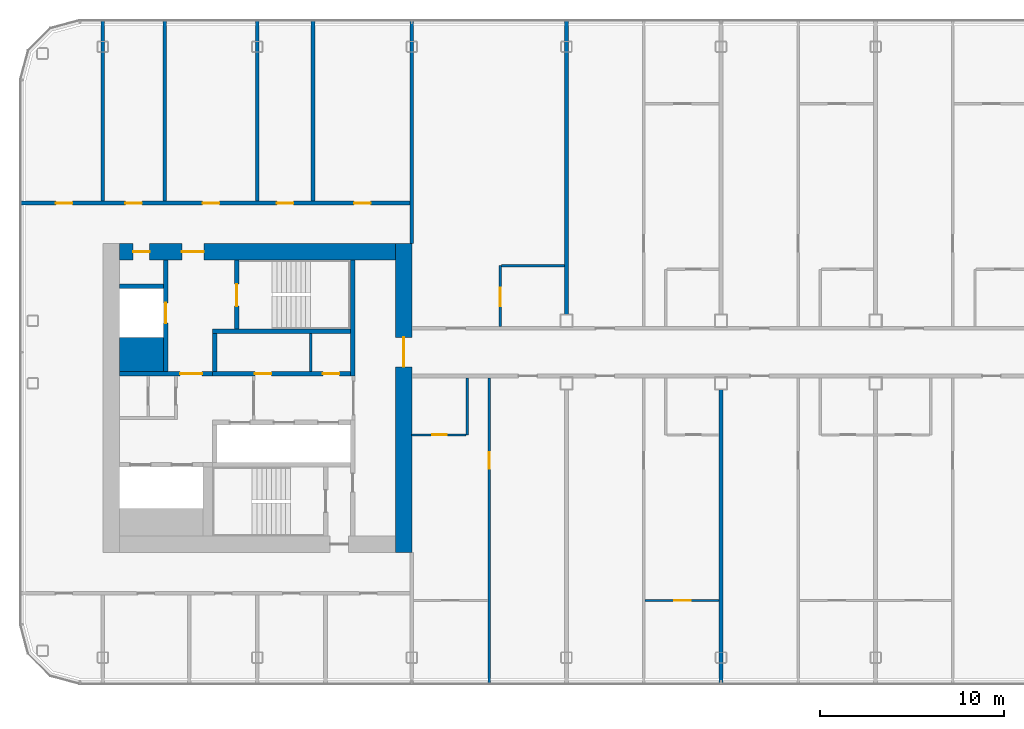
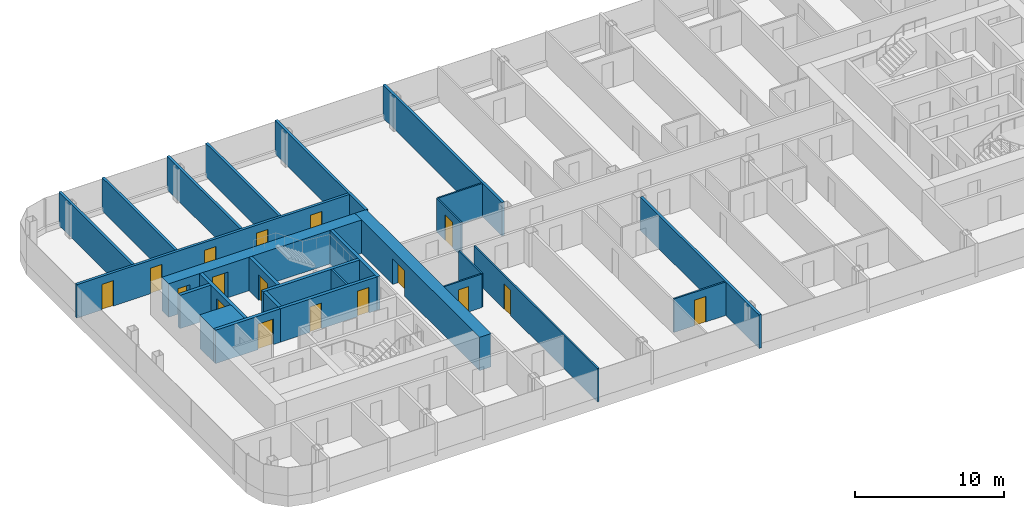
# One storey, part 14 of 26: 26 walls, 17 doors, 17 openings.
"""IFC4 building model written with IfcOpenShell, lengths in metres."""

from ifc_helpers import new_model, si_unit, direction, frame, frame_2d, origin, place, context, subcontext, project, spatial, rectangle, extrude, material, layer, layer_set, type_object, element, fill, save


model = new_model("IFC4")

# Units and contexts
model_context = context("Model", 3, precision=1e-05, world=origin(), true_north=direction((0.0, 1.0)))
body_context = subcontext(model_context, "Body", "Model", "MODEL_VIEW")
ifc_project = project(units=[si_unit("LENGTHUNIT", "METRE"), si_unit("AREAUNIT", "SQUARE_METRE"), si_unit("VOLUMEUNIT", "CUBIC_METRE"), si_unit("PLANEANGLEUNIT", "RADIAN"), si_unit("MASSUNIT", "GRAM", prefix="KILO")], contexts=[model_context])

# Site, building, storey
site_placement = place(None, origin())
site = spatial("IfcSite", under=ifc_project, at=site_placement, CompositionType="ELEMENT")
building_placement = place(site_placement, origin())
building = spatial("IfcBuilding", under=site, at=building_placement, Name="Hakoniwa Tower and Hamabe Station Hall", CompositionType="ELEMENT")
storey_placement = place(building_placement, frame((0.0, 0.0, 215.39990234375)))
storey = spatial("IfcBuildingStorey", under=building, at=storey_placement, Name="L61", CompositionType="ELEMENT", Elevation=215.39990234375)

# Wall, opening, door
ifc_material_1 = material(Name="Gypsum board partition", Category="gypsum")
ifc_layer_1 = layer(ifc_material_1, 0.125)
ifc_layer_set_1 = layer_set([ifc_layer_1], Name="Bathroom Partition 125")
wall_type_1 = type_object("IfcWallType", Name="Bathroom Partition 125", PredefinedType="PARTITIONING", material=ifc_layer_set_1)
wall_1_placement = place(storey_placement, frame((-16.81005859375, -2.0, 0.0), z_axis=(0.0, 0.0, 1.0), x_axis=(1.0, 0.0, 0.0)))
wall_1 = element("IfcWall", 1, at=wall_1_placement, inside=storey, type_object=wall_type_1, Name="GW-L61-006", PredefinedType="PARTITIONING", context=body_context, shape_type="SweptSolid", body=[
    extrude(rectangle(XDim=2.947509765625, YDim=0.125, at=frame_2d((1.4736328125, 0.0))), origin(), (0.0, 0.0, 1.0), 2.75),
])
opening_1_placement = place(wall_1_placement, frame((1.110107421875, 0.0, 0.0)))
opening_1 = element("IfcOpeningElement", 2, at=opening_1_placement, cuts=wall_1, Name="Opening GD-G4E1-13", PredefinedType="OPENING", context=body_context, shape_type="SweptSolid", body=[
    extrude(rectangle(XDim=0.800048828125, YDim=2.10009765625, at=frame_2d((0.39990234375, 1.050048828125))), frame((0.0, 0.072509765625, 0.0), z_axis=(0.0, -1.0, 0.0), x_axis=(1.0, 0.0, 0.0)), (0.0, 0.0, 1.0), 0.14501953125),
])
ifc_material_2 = material(Name="Timber door leaf", Category="wood")
door_type_1 = type_object("IfcDoorType", Name="Bathroom Door 800", OperationType="SINGLE_SWING_LEFT", PredefinedType="DOOR", material=ifc_material_2)
door_1_placement = place(opening_1_placement, origin())
door_1 = element("IfcDoor", 3, at=door_1_placement, inside=storey, type_object=door_type_1, Name="Door GD-G4E1-13", OperationType="SINGLE_SWING_LEFT", OverallHeight=2.10009765625, OverallWidth=0.800048828125, PredefinedType="DOOR", context=body_context, shape_type="SweptSolid", body=[
    extrude(rectangle(XDim=0.800048828125, YDim=2.10009765625, at=frame_2d((0.39990234375, 1.050048828125))), frame((0.0, 0.02490234375, 0.0), z_axis=(0.0, -1.0, 0.0), x_axis=(1.0, 0.0, 0.0)), (0.0, 0.0, 1.0), 0.050048828125),
])
fill(opening_1, door_1)

# Walls
wall_2_placement = place(storey_placement, frame((-11.9375, 7.199951171875, 0.0), z_axis=(0.0, 0.0, 1.0), x_axis=(1.0, 0.0, 0.0)))
element("IfcWall", 4, at=wall_2_placement, inside=storey, type_object=wall_type_1, Name="GW-L61-014", PredefinedType="PARTITIONING", context=body_context, shape_type="SweptSolid", body=[
    extrude(rectangle(XDim=3.4375, YDim=0.125, at=frame_2d((1.71875, 0.0))), origin(), (0.0, 0.0, 1.0), 2.75),
])
wall_3_placement = place(storey_placement, frame((-13.800048828125, -2.0, 0.0), z_axis=(0.0, 0.0, 1.0), x_axis=(0.0, 1.0, 0.0)))
element("IfcWall", 5, at=wall_3_placement, inside=storey, type_object=wall_type_1, Name="GW-L61-033", PredefinedType="PARTITIONING", context=body_context, shape_type="SweptSolid", body=[
    extrude(rectangle(XDim=3.10009765625, YDim=0.125, at=frame_2d((1.550048828125, 0.0))), origin(), (0.0, 0.0, 1.0), 2.75),
])

# Wall, opening, door
wall_4_placement = place(storey_placement, frame((-12.0, 3.89990234375, 0.0), z_axis=(0.0, 0.0, 1.0), x_axis=(0.0, 1.0, 0.0)))
wall_4 = element("IfcWall", 6, at=wall_4_placement, inside=storey, type_object=wall_type_1, Name="GW-L61-035", PredefinedType="PARTITIONING", context=body_context, shape_type="SweptSolid", body=[
    extrude(rectangle(XDim=3.300048828125, YDim=0.125, at=frame_2d((1.64990234375, 0.0))), origin(), (0.0, 0.0, 1.0), 2.75),
])
opening_2_placement = place(wall_4_placement, frame((1.10009765625, 0.0, 0.0)))
opening_2 = element("IfcOpeningElement", 7, at=opening_2_placement, cuts=wall_4, Name="Opening GD-G4E1-42", PredefinedType="OPENING", context=body_context, shape_type="SweptSolid", body=[
    extrude(rectangle(XDim=1.0, YDim=2.10009765625, at=frame_2d((0.5, 1.050048828125))), frame((0.0, 0.072509765625, 0.0), z_axis=(0.0, -1.0, 0.0), x_axis=(1.0, 0.0, 0.0)), (0.0, 0.0, 1.0), 0.14501953125),
])
ifc_material_3 = material(Name="Timber door leaf", Category="wood")
door_type_2 = type_object("IfcDoorType", Name="Accessible Bathroom Door 1000", OperationType="SINGLE_SWING_LEFT", PredefinedType="DOOR", material=ifc_material_3)
door_2_placement = place(opening_2_placement, origin())
door_2 = element("IfcDoor", 8, at=door_2_placement, inside=storey, type_object=door_type_2, Name="Door GD-G4E1-42", OperationType="SINGLE_SWING_RIGHT", OverallHeight=2.10009765625, OverallWidth=1.0, PredefinedType="DOOR", context=body_context, shape_type="SweptSolid", body=[
    extrude(rectangle(XDim=1.0, YDim=2.10009765625, at=frame_2d((0.5, 1.050048828125))), frame((0.0, 0.02490234375, 0.0), z_axis=(0.0, -1.0, 0.0), x_axis=(1.0, 0.0, 0.0)), (0.0, 0.0, 1.0), 0.050048828125),
])
fill(opening_2, door_2)

# Wall
ifc_material_4 = material(Name="Gypsum board partition")
ifc_layer_2 = layer(ifc_material_4, 0.14990234375)
ifc_layer_set_2 = layer_set([ifc_layer_2], Name="CORE PARTITION 150 EI 60")
wall_type_2 = type_object("IfcWallType", Name="CORE PARTITION 150 EI 60", PredefinedType="PARTITIONING", material=ifc_layer_set_2)
wall_5_placement = place(storey_placement, frame((-22.300048828125, 1.449951171875, 0.0), z_axis=(0.0, 0.0, 1.0), x_axis=(0.0, 1.0, 0.0)))
element("IfcWall", 9, at=wall_5_placement, inside=storey, type_object=wall_type_2, Name="Core partition PFLR0 west", PredefinedType="PARTITIONING", context=body_context, shape_type="SweptSolid", body=[
    extrude(rectangle(XDim=2.050048828125, YDim=0.14990234375, at=frame_2d((1.02490234375, 0.0))), origin(), (0.0, 0.0, 1.0), 2.75),
])

# Wall, opening, door
ifc_material_5 = material(Name="Concrete C60", Category="concrete")
ifc_layer_3 = layer(ifc_material_5, 0.89990234375)
ifc_layer_set_3 = layer_set([ifc_layer_3], Name="CORE WALL 900 C60")
wall_type_3 = type_object("IfcWallType", Name="CORE WALL 900 C60", PredefinedType="SHEAR", material=ifc_layer_set_3)
wall_6_placement = place(storey_placement, frame((-17.25, -8.39990234375, 0.0), z_axis=(0.0, 0.0, 1.0), x_axis=(0.0, 1.0, 0.0)))
wall_6 = element("IfcWall", 10, at=wall_6_placement, inside=storey, type_object=wall_type_3, Name="Core wall INNER west", PredefinedType="SHEAR", context=body_context, shape_type="SweptSolid", body=[
    extrude(rectangle(XDim=16.7998046875, YDim=0.89990234375, at=frame_2d((8.39990234375, 0.0))), origin(), (0.0, 0.0, 1.0), 2.75),
])
opening_3_placement = place(wall_6_placement, frame((10.10009765625, 0.0, 0.0)))
opening_3 = element("IfcOpeningElement", 11, at=opening_3_placement, cuts=wall_6, Name="Opening CD-W-IN1-16", PredefinedType="OPENING", context=body_context, shape_type="SweptSolid", body=[
    extrude(rectangle(XDim=1.60009765625, YDim=2.10009765625, at=frame_2d((0.800048828125, 1.050048828125))), frame((0.0, 0.4599609375, 0.0), z_axis=(0.0, -1.0, 0.0), x_axis=(1.0, 0.0, 0.0)), (0.0, 0.0, 1.0), 0.919921875),
])
ifc_material_6 = material(Name="Steel fire door", Category="steel")
door_type_3 = type_object("IfcDoorType", Name="CORE DOOR 1600 FD60", OperationType="DOUBLE_DOOR_SINGLE_SWING", PredefinedType="DOOR", material=ifc_material_6)
door_3_placement = place(opening_3_placement, origin())
door_3 = element("IfcDoor", 12, at=door_3_placement, inside=storey, type_object=door_type_3, Name="Lift lobby door", OperationType="DOUBLE_DOOR_SINGLE_SWING", OverallHeight=2.10009765625, OverallWidth=1.60009765625, PredefinedType="DOOR", context=body_context, shape_type="SweptSolid", body=[
    extrude(rectangle(XDim=1.60009765625, YDim=2.10009765625, at=frame_2d((0.800048828125, 1.050048828125))), frame((0.0, 0.02490234375, 0.0), z_axis=(0.0, -1.0, 0.0), x_axis=(1.0, 0.0, 0.0)), (0.0, 0.0, 1.0), 0.050048828125),
])
fill(opening_3, door_3)

# Wall, openings, doors
wall_7_placement = place(storey_placement, frame((-32.699951171875, 7.949951171875, 0.0), z_axis=(0.0, 0.0, 1.0), x_axis=(1.0, 0.0, 0.0)))
wall_7 = element("IfcWall", 13, at=wall_7_placement, inside=storey, type_object=wall_type_3, Name="Core wall NORTH west", PredefinedType="SHEAR", context=body_context, shape_type="SweptSolid", body=[
    extrude(rectangle(XDim=15.0, YDim=0.89990234375, at=frame_2d((7.5, 0.0))), origin(), (0.0, 0.0, 1.0), 2.75),
])
opening_4_placement = place(wall_7_placement, frame((3.39990234375, 0.0, 0.0)))
opening_4 = element("IfcOpeningElement", 14, at=opening_4_placement, cuts=wall_7, Name="Opening CD-W-FN1-12", PredefinedType="OPENING", context=body_context, shape_type="SweptSolid", body=[
    extrude(rectangle(XDim=1.199951171875, YDim=2.10009765625, at=frame_2d((0.60009765625, 1.050048828125))), frame((0.0, 0.4599609375, 0.0), z_axis=(0.0, -1.0, 0.0), x_axis=(1.0, 0.0, 0.0)), (0.0, 0.0, 1.0), 0.919921875),
])
opening_5_placement = place(wall_7_placement, frame((0.75, 0.0, 0.0)))
opening_5 = element("IfcOpeningElement", 15, at=opening_5_placement, cuts=wall_7, Name="Opening CD-W-FN2-9", PredefinedType="OPENING", context=body_context, shape_type="SweptSolid", body=[
    extrude(rectangle(XDim=0.89990234375, YDim=2.10009765625, at=frame_2d((0.449951171875, 1.050048828125))), frame((0.0, 0.4599609375, 0.0), z_axis=(0.0, -1.0, 0.0), x_axis=(1.0, 0.0, 0.0)), (0.0, 0.0, 1.0), 0.919921875),
])
ifc_material_7 = material(Name="Steel fire door", Category="steel")
door_type_4 = type_object("IfcDoorType", Name="CORE DOOR 1200 FD60", OperationType="DOUBLE_DOOR_SINGLE_SWING", PredefinedType="DOOR", material=ifc_material_7)
door_4_placement = place(opening_4_placement, origin())
door_4 = element("IfcDoor", 16, at=door_4_placement, inside=storey, type_object=door_type_4, Name="Stair vestibule door to the fire-fighting lobby", OperationType="DOUBLE_DOOR_SINGLE_SWING", OverallHeight=2.10009765625, OverallWidth=1.199951171875, PredefinedType="DOOR", context=body_context, shape_type="SweptSolid", body=[
    extrude(rectangle(XDim=1.199951171875, YDim=2.10009765625, at=frame_2d((0.60009765625, 1.050048828125))), frame((0.0, 0.02490234375, 0.0), z_axis=(0.0, -1.0, 0.0), x_axis=(1.0, 0.0, 0.0)), (0.0, 0.0, 1.0), 0.050048828125),
])
fill(opening_4, door_4)
ifc_material_8 = material(Name="Steel fire door", Category="steel")
door_type_5 = type_object("IfcDoorType", Name="CORE DOOR 900 FD30", OperationType="NOTDEFINED", PredefinedType="DOOR", material=ifc_material_8)
door_5_placement = place(opening_5_placement, origin())
door_5 = element("IfcDoor", 17, at=door_5_placement, inside=storey, type_object=door_type_5, Name="Riser access door", OperationType="SINGLE_SWING_LEFT", OverallHeight=2.10009765625, OverallWidth=0.89990234375, PredefinedType="DOOR", context=body_context, shape_type="SweptSolid", body=[
    extrude(rectangle(XDim=0.89990234375, YDim=2.10009765625, at=frame_2d((0.449951171875, 1.050048828125))), frame((0.0, 0.02490234375, 0.0), z_axis=(0.0, -1.0, 0.0), x_axis=(1.0, 0.0, 0.0)), (0.0, 0.0, 1.0), 0.050048828125),
])
fill(opening_5, door_5)

# Walls
ifc_material_9 = material(Name="Concrete C60", Category="concrete")
ifc_layer_4 = layer(ifc_material_9, 1.85009765625)
ifc_layer_set_4 = layer_set([ifc_layer_4], Name="CORE WEB WALL 1850 C60")
wall_type_4 = type_object("IfcWallType", Name="CORE WEB WALL 1850 C60", PredefinedType="SHEAR", material=ifc_layer_set_4)
wall_8_placement = place(storey_placement, frame((-32.699951171875, 2.375, 0.0), z_axis=(0.0, 0.0, 1.0), x_axis=(1.0, 0.0, 0.0)))
element("IfcWall", 18, at=wall_8_placement, inside=storey, type_object=wall_type_4, Name="Core wall CA west", PredefinedType="SHEAR", context=body_context, shape_type="SweptSolid", body=[
    extrude(rectangle(XDim=2.39990234375, YDim=1.85009765625, at=frame_2d((1.199951171875, 0.0))), origin(), (0.0, 0.0, 1.0), 2.75),
])
ifc_material_10 = material(Name="Concrete C60", Category="concrete")
ifc_layer_5 = layer(ifc_material_10, 0.25)
ifc_layer_set_5 = layer_set([ifc_layer_5], Name="CORE WEB WALL 250 C60")
wall_type_5 = type_object("IfcWallType", Name="CORE WEB WALL 250 C60", PredefinedType="SHEAR", material=ifc_layer_set_5)
wall_9_placement = place(storey_placement, frame((-20.02490234375, 1.199951171875, 0.0), z_axis=(0.0, 0.0, 1.0), x_axis=(0.0, 1.0, 0.0)))
element("IfcWall", 19, at=wall_9_placement, inside=storey, type_object=wall_type_5, Name="Core wall W1N west", PredefinedType="SHEAR", context=body_context, shape_type="SweptSolid", body=[
    extrude(rectangle(XDim=6.300048828125, YDim=0.25, at=frame_2d((3.14990234375, 0.0))), origin(), (0.0, 0.0, 1.0), 2.75),
])

# Wall, openings, doors
wall_10_placement = place(storey_placement, frame((-27.64990234375, 1.324951171875, 0.0), z_axis=(0.0, 0.0, 1.0), x_axis=(1.0, 0.0, 0.0)))
wall_10 = element("IfcWall", 20, at=wall_10_placement, inside=storey, type_object=wall_type_5, Name="Core wall NF west", PredefinedType="SHEAR", context=body_context, shape_type="SweptSolid", body=[
    extrude(rectangle(XDim=7.5, YDim=0.25, at=frame_2d((3.75, 0.0))), origin(), (0.0, 0.0, 1.0), 2.75),
])
opening_6_placement = place(wall_10_placement, frame((6.012451171875, 0.0, 0.0)))
opening_6 = element("IfcOpeningElement", 21, at=opening_6_placement, cuts=wall_10, Name="Opening CD-W-FRLR0-9", PredefinedType="OPENING", context=body_context, shape_type="SweptSolid", body=[
    extrude(rectangle(XDim=0.89990234375, YDim=2.10009765625, at=frame_2d((0.449951171875, 1.050048828125))), frame((0.0, 0.135009765625, 0.0), z_axis=(0.0, -1.0, 0.0), x_axis=(1.0, 0.0, 0.0)), (0.0, 0.0, 1.0), 0.27001953125),
])
opening_7_placement = place(wall_10_placement, frame((2.3125, 0.0, 0.0)))
opening_7 = element("IfcOpeningElement", 22, at=opening_7_placement, cuts=wall_10, Name="Opening CD-W-FRLR1-9", PredefinedType="OPENING", context=body_context, shape_type="SweptSolid", body=[
    extrude(rectangle(XDim=0.89990234375, YDim=2.10009765625, at=frame_2d((0.449951171875, 1.050048828125))), frame((0.0, 0.135009765625, 0.0), z_axis=(0.0, -1.0, 0.0), x_axis=(1.0, 0.0, 0.0)), (0.0, 0.0, 1.0), 0.27001953125),
])
door_6_placement = place(opening_6_placement, origin())
door_6 = element("IfcDoor", 23, at=door_6_placement, inside=storey, type_object=door_type_5, Name="Store room door", OperationType="SINGLE_SWING_LEFT", OverallHeight=2.10009765625, OverallWidth=0.89990234375, PredefinedType="DOOR", context=body_context, shape_type="SweptSolid", body=[
    extrude(rectangle(XDim=0.89990234375, YDim=2.10009765625, at=frame_2d((0.449951171875, 1.050048828125))), frame((0.0, 0.02490234375, 0.0), z_axis=(0.0, -1.0, 0.0), x_axis=(1.0, 0.0, 0.0)), (0.0, 0.0, 1.0), 0.050048828125),
])
fill(opening_6, door_6)
door_7_placement = place(opening_7_placement, origin())
door_7 = element("IfcDoor", 24, at=door_7_placement, inside=storey, type_object=door_type_5, Name="Store room door", OperationType="SINGLE_SWING_LEFT", OverallHeight=2.10009765625, OverallWidth=0.89990234375, PredefinedType="DOOR", context=body_context, shape_type="SweptSolid", body=[
    extrude(rectangle(XDim=0.89990234375, YDim=2.10009765625, at=frame_2d((0.449951171875, 1.050048828125))), frame((0.0, 0.02490234375, 0.0), z_axis=(0.0, -1.0, 0.0), x_axis=(1.0, 0.0, 0.0)), (0.0, 0.0, 1.0), 0.050048828125),
])
fill(opening_7, door_7)

# Walls
wall_11_placement = place(storey_placement, frame((-27.52490234375, 1.449951171875, 0.0), z_axis=(0.0, 0.0, 1.0), x_axis=(0.0, 1.0, 0.0)))
element("IfcWall", 25, at=wall_11_placement, inside=storey, type_object=wall_type_5, Name="Core wall NE west", PredefinedType="SHEAR", context=body_context, shape_type="SweptSolid", body=[
    extrude(rectangle(XDim=2.050048828125, YDim=0.25, at=frame_2d((1.02490234375, 0.0))), origin(), (0.0, 0.0, 1.0), 2.75),
])
wall_12_placement = place(storey_placement, frame((-27.64990234375, 3.625, 0.0), z_axis=(0.0, 0.0, 1.0), x_axis=(1.0, 0.0, 0.0)))
element("IfcWall", 26, at=wall_12_placement, inside=storey, type_object=wall_type_5, Name="Core wall NR west", PredefinedType="SHEAR", context=body_context, shape_type="SweptSolid", body=[
    extrude(rectangle(XDim=7.5, YDim=0.25, at=frame_2d((3.75, 0.0))), origin(), (0.0, 0.0, 1.0), 2.75),
])

# Wall, opening, door
wall_13_placement = place(storey_placement, frame((-26.324951171875, 3.75, 0.0), z_axis=(0.0, 0.0, 1.0), x_axis=(0.0, 1.0, 0.0)))
wall_13 = element("IfcWall", 27, at=wall_13_placement, inside=storey, type_object=wall_type_5, Name="Core wall NSE west", PredefinedType="SHEAR", context=body_context, shape_type="SweptSolid", body=[
    extrude(rectangle(XDim=3.75, YDim=0.25, at=frame_2d((1.875, 0.0))), origin(), (0.0, 0.0, 1.0), 2.75),
])
opening_8_placement = place(wall_13_placement, frame((1.25, 0.0, 0.0)))
opening_8 = element("IfcOpeningElement", 28, at=opening_8_placement, cuts=wall_13, Name="Opening CD-W-SN-12", PredefinedType="OPENING", context=body_context, shape_type="SweptSolid", body=[
    extrude(rectangle(XDim=1.199951171875, YDim=2.10009765625, at=frame_2d((0.60009765625, 1.050048828125))), frame((0.0, 0.135009765625, 0.0), z_axis=(0.0, -1.0, 0.0), x_axis=(1.0, 0.0, 0.0)), (0.0, 0.0, 1.0), 0.27001953125),
])
door_8_placement = place(opening_8_placement, origin())
door_8 = element("IfcDoor", 29, at=door_8_placement, inside=storey, type_object=door_type_4, Name="Escape stair door", OperationType="DOUBLE_DOOR_SINGLE_SWING", OverallHeight=2.10009765625, OverallWidth=1.199951171875, PredefinedType="DOOR", context=body_context, shape_type="SweptSolid", body=[
    extrude(rectangle(XDim=1.199951171875, YDim=2.10009765625, at=frame_2d((0.60009765625, 1.050048828125))), frame((0.0, 0.02490234375, 0.0), z_axis=(0.0, -1.0, 0.0), x_axis=(1.0, 0.0, 0.0)), (0.0, 0.0, 1.0), 0.050048828125),
])
fill(opening_8, door_8)

wall_14_placement = place(storey_placement, frame((-32.699951171875, 1.324951171875, 0.0), z_axis=(0.0, 0.0, 1.0), x_axis=(1.0, 0.0, 0.0)))
wall_14 = element("IfcWall", 30, at=wall_14_placement, inside=storey, type_object=wall_type_5, Name="Core wall ELN west", PredefinedType="SHEAR", context=body_context, shape_type="SweptSolid", body=[
    extrude(rectangle(XDim=5.050048828125, YDim=0.25, at=frame_2d((2.52490234375, 0.0))), origin(), (0.0, 0.0, 1.0), 2.75),
])
opening_9_placement = place(wall_14_placement, frame((3.300048828125, 0.0, 0.0)))
opening_9 = element("IfcOpeningElement", 31, at=opening_9_placement, cuts=wall_14, Name="Opening CD-W-FL-12", PredefinedType="OPENING", context=body_context, shape_type="SweptSolid", body=[
    extrude(rectangle(XDim=1.199951171875, YDim=2.10009765625, at=frame_2d((0.60009765625, 1.050048828125))), frame((0.0, 0.135009765625, 0.0), z_axis=(0.0, -1.0, 0.0), x_axis=(1.0, 0.0, 0.0)), (0.0, 0.0, 1.0), 0.27001953125),
])
door_9_placement = place(opening_9_placement, origin())
door_9 = element("IfcDoor", 32, at=door_9_placement, inside=storey, type_object=door_type_4, Name="Stair vestibule door to the fire-fighting lobby", OperationType="DOUBLE_DOOR_SINGLE_SWING", OverallHeight=2.10009765625, OverallWidth=1.199951171875, PredefinedType="DOOR", context=body_context, shape_type="SweptSolid", body=[
    extrude(rectangle(XDim=1.199951171875, YDim=2.10009765625, at=frame_2d((0.60009765625, 1.050048828125))), frame((0.0, 0.02490234375, 0.0), z_axis=(0.0, -1.0, 0.0), x_axis=(1.0, 0.0, 0.0)), (0.0, 0.0, 1.0), 0.050048828125),
])
fill(opening_9, door_9)

wall_15_placement = place(storey_placement, frame((-30.175048828125, 1.449951171875, 0.0), z_axis=(0.0, 0.0, 1.0), x_axis=(0.0, 1.0, 0.0)))
wall_15 = element("IfcWall", 33, at=wall_15_placement, inside=storey, type_object=wall_type_5, Name="Core wall FFF west", PredefinedType="SHEAR", context=body_context, shape_type="SweptSolid", body=[
    extrude(rectangle(XDim=6.050048828125, YDim=0.25, at=frame_2d((3.02490234375, 0.0))), origin(), (0.0, 0.0, 1.0), 2.75),
])
opening_10_placement = place(wall_15_placement, frame((2.625, 0.0, 0.0)))
opening_10 = element("IfcOpeningElement", 34, at=opening_10_placement, cuts=wall_15, Name="Opening LD-FF1", PredefinedType="OPENING", context=body_context, shape_type="SweptSolid", body=[
    extrude(rectangle(XDim=1.10009765625, YDim=2.10009765625, at=frame_2d((0.550048828125, 1.050048828125))), frame((0.0, 0.135009765625, 0.0), z_axis=(0.0, -1.0, 0.0), x_axis=(1.0, 0.0, 0.0)), (0.0, 0.0, 1.0), 0.27001953125),
])
ifc_material_11 = material(Name="Stainless steel SUS304", Category="steel")
door_type_6 = type_object("IfcDoorType", Name="LIFT LANDING DOOR 1100 FD60", OperationType="DOUBLE_DOOR_SLIDING", PredefinedType="DOOR", material=ifc_material_11)
door_10_placement = place(opening_10_placement, origin())
door_10 = element("IfcDoor", 35, at=door_10_placement, inside=storey, type_object=door_type_6, Name="Lift landing door FF1 L61", OperationType="DOUBLE_DOOR_SLIDING", OverallHeight=2.10009765625, OverallWidth=1.10009765625, PredefinedType="DOOR", context=body_context, shape_type="SweptSolid", body=[
    extrude(rectangle(XDim=1.10009765625, YDim=2.10009765625, at=frame_2d((0.550048828125, 1.050048828125))), frame((0.0, 0.02490234375, 0.0), z_axis=(0.0, -1.0, 0.0), x_axis=(1.0, 0.0, 0.0)), (0.0, 0.0, 1.0), 0.050048828125),
])
fill(opening_10, door_10)

# Wall
wall_16_placement = place(storey_placement, frame((-32.699951171875, 6.074951171875, 0.0), z_axis=(0.0, 0.0, 1.0), x_axis=(1.0, 0.0, 0.0)))
element("IfcWall", 36, at=wall_16_placement, inside=storey, type_object=wall_type_5, Name="Core wall C2 west", PredefinedType="SHEAR", context=body_context, shape_type="SweptSolid", body=[
    extrude(rectangle(XDim=2.39990234375, YDim=0.25, at=frame_2d((1.199951171875, 0.0))), origin(), (0.0, 0.0, 1.0), 2.75),
])

# Wall, openings, doors
ifc_material_12 = material(Name="Fire-rated gypsum board partition", Category="gypsum")
ifc_layer_6 = layer(ifc_material_12, 0.199951171875)
ifc_layer_set_6 = layer_set([ifc_layer_6], Name="Corridor Wall 200")
wall_type_6 = type_object("IfcWallType", Name="Corridor Wall 200", PredefinedType="PARTITIONING", material=ifc_layer_set_6)
wall_17_placement = place(storey_placement, frame((-38.10009765625, 10.60009765625, 0.0), z_axis=(0.0, 0.0, 1.0), x_axis=(1.0, 0.0, 0.0)))
wall_17 = element("IfcWall", 37, at=wall_17_placement, inside=storey, type_object=wall_type_6, Name="GW-L61-015", PredefinedType="PARTITIONING", context=body_context, shape_type="SweptSolid", body=[
    extrude(rectangle(XDim=21.300048828125, YDim=0.199951171875, at=frame_2d((10.64990234375, 0.0))), origin(), (0.0, 0.0, 1.0), 2.75),
])
opening_11_placement = place(wall_17_placement, frame((1.949951171875, 0.0, 0.0)))
opening_11 = element("IfcOpeningElement", 38, at=opening_11_placement, cuts=wall_17, Name="Opening GD-G4E1-28", PredefinedType="OPENING", context=body_context, shape_type="SweptSolid", body=[
    extrude(rectangle(XDim=0.89990234375, YDim=2.10009765625, at=frame_2d((0.449951171875, 1.050048828125))), frame((0.0, 0.10986328125, 0.0), z_axis=(0.0, -1.0, 0.0), x_axis=(1.0, 0.0, 0.0)), (0.0, 0.0, 1.0), 0.219970703125),
])
opening_12_placement = place(wall_17_placement, frame((5.72998046875, 0.0, 0.0)))
opening_12 = element("IfcOpeningElement", 39, at=opening_12_placement, cuts=wall_17, Name="Opening GD-G4E1-29", PredefinedType="OPENING", context=body_context, shape_type="SweptSolid", body=[
    extrude(rectangle(XDim=0.89990234375, YDim=2.10009765625, at=frame_2d((0.449951171875, 1.050048828125))), frame((0.0, 0.10986328125, 0.0), z_axis=(0.0, -1.0, 0.0), x_axis=(1.0, 0.0, 0.0)), (0.0, 0.0, 1.0), 0.219970703125),
])
opening_13_placement = place(wall_17_placement, frame((9.929931640625, 0.0, 0.0)))
opening_13 = element("IfcOpeningElement", 40, at=opening_13_placement, cuts=wall_17, Name="Opening GD-G4E1-30", PredefinedType="OPENING", context=body_context, shape_type="SweptSolid", body=[
    extrude(rectangle(XDim=0.89990234375, YDim=2.10009765625, at=frame_2d((0.449951171875, 1.050048828125))), frame((0.0, 0.10986328125, 0.0), z_axis=(0.0, -1.0, 0.0), x_axis=(1.0, 0.0, 0.0)), (0.0, 0.0, 1.0), 0.219970703125),
])
opening_14_placement = place(wall_17_placement, frame((13.9599609375, 0.0, 0.0)))
opening_14 = element("IfcOpeningElement", 41, at=opening_14_placement, cuts=wall_17, Name="Opening GD-G4E1-31", PredefinedType="OPENING", context=body_context, shape_type="SweptSolid", body=[
    extrude(rectangle(XDim=0.89990234375, YDim=2.10009765625, at=frame_2d((0.449951171875, 1.050048828125))), frame((0.0, 0.10986328125, 0.0), z_axis=(0.0, -1.0, 0.0), x_axis=(1.0, 0.0, 0.0)), (0.0, 0.0, 1.0), 0.219970703125),
])
opening_15_placement = place(wall_17_placement, frame((18.159912109375, 0.0, 0.0)))
opening_15 = element("IfcOpeningElement", 42, at=opening_15_placement, cuts=wall_17, Name="Opening GD-G4E1-32", PredefinedType="OPENING", context=body_context, shape_type="SweptSolid", body=[
    extrude(rectangle(XDim=0.89990234375, YDim=2.10009765625, at=frame_2d((0.449951171875, 1.050048828125))), frame((0.0, 0.10986328125, 0.0), z_axis=(0.0, -1.0, 0.0), x_axis=(1.0, 0.0, 0.0)), (0.0, 0.0, 1.0), 0.219970703125),
])
ifc_material_13 = material(Name="Timber door leaf", Category="wood")
door_type_7 = type_object("IfcDoorType", Name="Service Door 900", OperationType="SINGLE_SWING_LEFT", PredefinedType="DOOR", material=ifc_material_13)
door_11_placement = place(opening_11_placement, origin())
door_11 = element("IfcDoor", 43, at=door_11_placement, inside=storey, type_object=door_type_7, Name="Door GD-G4E1-28", OperationType="SINGLE_SWING_LEFT", OverallHeight=2.10009765625, OverallWidth=0.89990234375, PredefinedType="DOOR", context=body_context, shape_type="SweptSolid", body=[
    extrude(rectangle(XDim=0.89990234375, YDim=2.10009765625, at=frame_2d((0.449951171875, 1.050048828125))), frame((0.0, 0.02490234375, 0.0), z_axis=(0.0, -1.0, 0.0), x_axis=(1.0, 0.0, 0.0)), (0.0, 0.0, 1.0), 0.050048828125),
])
fill(opening_11, door_11)
door_12_placement = place(opening_12_placement, origin())
door_12 = element("IfcDoor", 44, at=door_12_placement, inside=storey, type_object=door_type_7, Name="Door GD-G4E1-29", OperationType="SINGLE_SWING_RIGHT", OverallHeight=2.10009765625, OverallWidth=0.89990234375, PredefinedType="DOOR", context=body_context, shape_type="SweptSolid", body=[
    extrude(rectangle(XDim=0.89990234375, YDim=2.10009765625, at=frame_2d((0.449951171875, 1.050048828125))), frame((0.0, 0.02490234375, 0.0), z_axis=(0.0, -1.0, 0.0), x_axis=(1.0, 0.0, 0.0)), (0.0, 0.0, 1.0), 0.050048828125),
])
fill(opening_12, door_12)
door_13_placement = place(opening_13_placement, origin())
door_13 = element("IfcDoor", 45, at=door_13_placement, inside=storey, type_object=door_type_7, Name="Door GD-G4E1-30", OperationType="SINGLE_SWING_RIGHT", OverallHeight=2.10009765625, OverallWidth=0.89990234375, PredefinedType="DOOR", context=body_context, shape_type="SweptSolid", body=[
    extrude(rectangle(XDim=0.89990234375, YDim=2.10009765625, at=frame_2d((0.449951171875, 1.050048828125))), frame((0.0, 0.02490234375, 0.0), z_axis=(0.0, -1.0, 0.0), x_axis=(1.0, 0.0, 0.0)), (0.0, 0.0, 1.0), 0.050048828125),
])
fill(opening_13, door_13)
door_14_placement = place(opening_14_placement, origin())
door_14 = element("IfcDoor", 46, at=door_14_placement, inside=storey, type_object=door_type_7, Name="Door GD-G4E1-31", OperationType="SINGLE_SWING_LEFT", OverallHeight=2.10009765625, OverallWidth=0.89990234375, PredefinedType="DOOR", context=body_context, shape_type="SweptSolid", body=[
    extrude(rectangle(XDim=0.89990234375, YDim=2.10009765625, at=frame_2d((0.449951171875, 1.050048828125))), frame((0.0, 0.02490234375, 0.0), z_axis=(0.0, -1.0, 0.0), x_axis=(1.0, 0.0, 0.0)), (0.0, 0.0, 1.0), 0.050048828125),
])
fill(opening_14, door_14)
door_15_placement = place(opening_15_placement, origin())
door_15 = element("IfcDoor", 47, at=door_15_placement, inside=storey, type_object=door_type_7, Name="Door GD-G4E1-32", OperationType="SINGLE_SWING_RIGHT", OverallHeight=2.10009765625, OverallWidth=0.89990234375, PredefinedType="DOOR", context=body_context, shape_type="SweptSolid", body=[
    extrude(rectangle(XDim=0.89990234375, YDim=2.10009765625, at=frame_2d((0.449951171875, 1.050048828125))), frame((0.0, 0.02490234375, 0.0), z_axis=(0.0, -1.0, 0.0), x_axis=(1.0, 0.0, 0.0)), (0.0, 0.0, 1.0), 0.050048828125),
])
fill(opening_15, door_15)

# Walls
ifc_material_14 = material(Name="Fire-rated gypsum board partition", Category="gypsum")
ifc_layer_7 = layer(ifc_material_14, 0.199951171875)
ifc_layer_set_7 = layer_set([ifc_layer_7], Name="Party Wall 200")
wall_type_7 = type_object("IfcWallType", Name="Party Wall 200", PredefinedType="PARTITIONING", material=ifc_layer_set_7)
for number, where, z_axis, x_axis, name in (
    (48, (-33.60009765625, 10.699951171875, 0.0), (0.0, 0.0, 1.0), (0.0, 1.0, 0.0), "GW-L61-024"),
    (49, (-30.239990234375, 10.699951171875, 0.0), (0.0, 0.0, 1.0), (0.0, 1.0, 0.0), "GW-L61-025"),
    (50, (-25.199951171875, 10.699951171875, 0.0), (0.0, 0.0, 1.0), (0.0, 1.0, 0.0), "GW-L61-028"),
    (51, (-22.179931640625, 10.699951171875, 0.0), (0.0, 0.0, 1.0), (0.0, 1.0, 0.0), "GW-L61-029"),
):
    element("IfcWall", number, at=place(storey_placement, frame(where, z_axis=z_axis, x_axis=x_axis)), inside=storey, type_object=wall_type_7, Name=name, PredefinedType="PARTITIONING", context=body_context, shape_type="SweptSolid", body=[
        extrude(rectangle(XDim=9.85009765625, YDim=0.199951171875, at=frame_2d((4.925048828125, 0.0))), origin(), (0.0, 0.0, 1.0), 2.75),
    ])
wall_18_placement = place(storey_placement, frame((-16.800048828125, 8.389892578125, 0.0), z_axis=(0.0, 0.0, 1.0), x_axis=(0.0, 1.0, 0.0)))
element("IfcWall", 52, at=wall_18_placement, inside=storey, type_object=wall_type_7, Name="GW-L61-032", PredefinedType="PARTITIONING", context=body_context, shape_type="SweptSolid", body=[
    extrude(rectangle(XDim=12.16015625, YDim=0.199951171875, at=frame_2d((6.080078125, 0.0))), origin(), (0.0, 0.0, 1.0), 2.75),
])
for number, where, z_axis, x_axis, name in (
    (53, (-8.39990234375, 4.5400390625, 0.0), (0.0, 0.0, 1.0), (0.0, 1.0, 0.0), "GW-L61-037"),
    (54, (0.0, -15.550048828125, 0.0), (0.0, 0.0, 1.0), (0.0, 1.0, 0.0), "GW-L61-042"),
):
    element("IfcWall", number, at=place(storey_placement, frame(where, z_axis=z_axis, x_axis=x_axis)), inside=storey, type_object=wall_type_7, Name=name, PredefinedType="PARTITIONING", context=body_context, shape_type="SweptSolid", body=[
        extrude(rectangle(XDim=16.010009765625, YDim=0.199951171875, at=frame_2d((8.0048828125, 0.0))), origin(), (0.0, 0.0, 1.0), 2.75),
    ])

# Wall, opening, door
ifc_material_15 = material(Name="Gypsum board partition", Category="gypsum")
ifc_layer_8 = layer(ifc_material_15, 0.125)
ifc_layer_set_8 = layer_set([ifc_layer_8], Name="Room Partition 125")
wall_type_8 = type_object("IfcWallType", Name="Room Partition 125", PredefinedType="PARTITIONING", material=ifc_layer_set_8)
wall_19_placement = place(storey_placement, frame((-4.137451171875, -11.0, 0.0), z_axis=(0.0, 0.0, 1.0), x_axis=(1.0, 0.0, 0.0)))
wall_19 = element("IfcWall", 55, at=wall_19_placement, inside=storey, type_object=wall_type_8, Name="GW-L61-002", PredefinedType="PARTITIONING", context=body_context, shape_type="SweptSolid", body=[
    extrude(rectangle(XDim=4.037353515625, YDim=0.125, at=frame_2d((2.0185546875, 0.0))), origin(), (0.0, 0.0, 1.0), 2.75),
])
opening_16_placement = place(wall_19_placement, frame((1.58740234375, 0.0, 0.0)))
opening_16 = element("IfcOpeningElement", 56, at=opening_16_placement, cuts=wall_19, Name="Opening GD-G4E1-02", PredefinedType="OPENING", context=body_context, shape_type="SweptSolid", body=[
    extrude(rectangle(XDim=0.89990234375, YDim=2.10009765625, at=frame_2d((0.449951171875, 1.050048828125))), frame((0.0, 0.072509765625, 0.0), z_axis=(0.0, -1.0, 0.0), x_axis=(1.0, 0.0, 0.0)), (0.0, 0.0, 1.0), 0.14501953125),
])
ifc_material_16 = material(Name="Timber door leaf", Category="wood")
door_type_8 = type_object("IfcDoorType", Name="Suite Interior Door 900", OperationType="SINGLE_SWING_LEFT", PredefinedType="DOOR", material=ifc_material_16)
door_16_placement = place(opening_16_placement, origin())
door_16 = element("IfcDoor", 57, at=door_16_placement, inside=storey, type_object=door_type_8, Name="Door GD-G4E1-02", OperationType="SINGLE_SWING_RIGHT", OverallHeight=2.10009765625, OverallWidth=0.89990234375, PredefinedType="DOOR", context=body_context, shape_type="SweptSolid", body=[
    extrude(rectangle(XDim=0.89990234375, YDim=2.10009765625, at=frame_2d((0.449951171875, 1.050048828125))), frame((0.0, 0.02490234375, 0.0), z_axis=(0.0, -1.0, 0.0), x_axis=(1.0, 0.0, 0.0)), (0.0, 0.0, 1.0), 0.050048828125),
])
fill(opening_16, door_16)

wall_20_placement = place(storey_placement, frame((-12.60009765625, -15.550048828125, 0.0), z_axis=(0.0, 0.0, 1.0), x_axis=(0.0, 1.0, 0.0)))
wall_20 = element("IfcWall", 58, at=wall_20_placement, inside=storey, type_object=wall_type_8, Name="GW-L61-034", PredefinedType="PARTITIONING", context=body_context, shape_type="SweptSolid", body=[
    extrude(rectangle(XDim=16.650146484375, YDim=0.125, at=frame_2d((8.3251953125, 0.0))), origin(), (0.0, 0.0, 1.0), 2.75),
])
opening_17_placement = place(wall_20_placement, frame((11.699951171875, 0.0, 0.0)))
opening_17 = element("IfcOpeningElement", 59, at=opening_17_placement, cuts=wall_20, Name="Opening GD-G4E1-41", PredefinedType="OPENING", context=body_context, shape_type="SweptSolid", body=[
    extrude(rectangle(XDim=0.89990234375, YDim=2.10009765625, at=frame_2d((0.449951171875, 1.050048828125))), frame((0.0, 0.072509765625, 0.0), z_axis=(0.0, -1.0, 0.0), x_axis=(1.0, 0.0, 0.0)), (0.0, 0.0, 1.0), 0.14501953125),
])
door_17_placement = place(opening_17_placement, origin())
door_17 = element("IfcDoor", 60, at=door_17_placement, inside=storey, type_object=door_type_8, Name="Door GD-G4E1-41", OperationType="SINGLE_SWING_RIGHT", OverallHeight=2.10009765625, OverallWidth=0.89990234375, PredefinedType="DOOR", context=body_context, shape_type="SweptSolid", body=[
    extrude(rectangle(XDim=0.89990234375, YDim=2.10009765625, at=frame_2d((0.449951171875, 1.050048828125))), frame((0.0, 0.02490234375, 0.0), z_axis=(0.0, -1.0, 0.0), x_axis=(1.0, 0.0, 0.0)), (0.0, 0.0, 1.0), 0.050048828125),
])
fill(opening_17, door_17)

save(model, "model.ifc")
